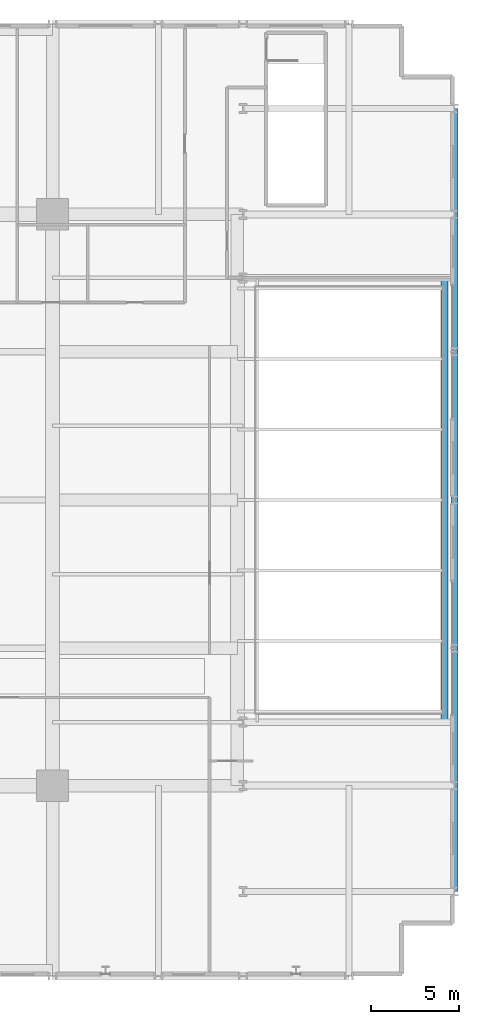
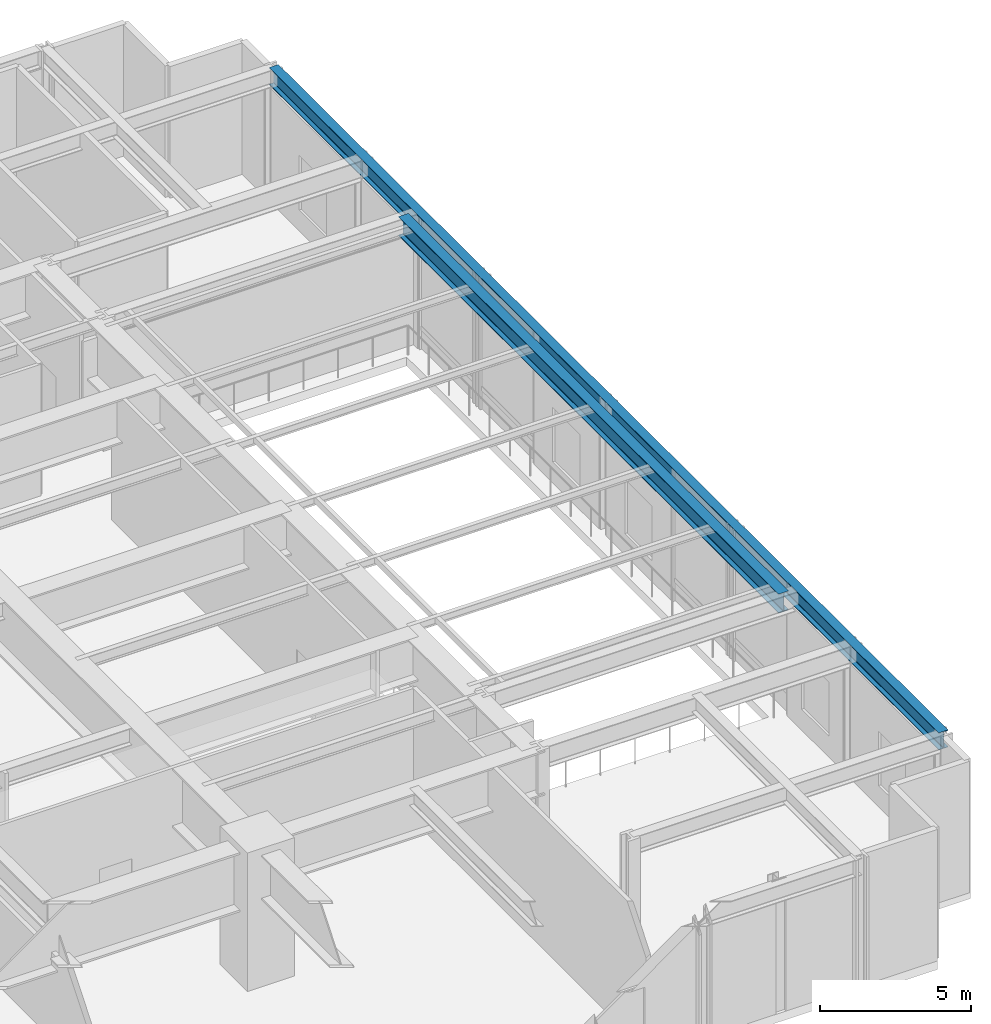
# One storey, part 8 of 19: 2 beams.
"""IFC4 building model written with IfcOpenShell, lengths in metres."""

from ifc_helpers import new_model, si_unit, direction, frame, origin, origin_2d, place, context, subcontext, project, spatial, i_section, extrude, material, material_profile, profile_set, type_object, element, save


model = new_model("IFC4")

# Units and contexts
model_context = context("Model", 3, precision=1e-05, world=origin(), true_north=direction((0.0, 1.0)))
body_context = subcontext(model_context, "Body", "Model", "MODEL_VIEW")
ifc_project = project(units=[si_unit("LENGTHUNIT", "METRE"), si_unit("AREAUNIT", "SQUARE_METRE"), si_unit("VOLUMEUNIT", "CUBIC_METRE"), si_unit("PLANEANGLEUNIT", "RADIAN"), si_unit("MASSUNIT", "GRAM", prefix="KILO")], contexts=[model_context])

# Site, building, storey
site_placement = place(None, origin())
site = spatial("IfcSite", under=ifc_project, at=site_placement, CompositionType="ELEMENT")
building_placement = place(site_placement, origin())
building = spatial("IfcBuilding", under=site, at=building_placement, Name="Drelvath Grand Hotel", CompositionType="ELEMENT")
storey_placement = place(building_placement, frame((0.0, 0.0, 27.60009765625)))
storey = spatial("IfcBuildingStorey", under=building, at=storey_placement, Name="L05", CompositionType="ELEMENT", Elevation=27.60009765625)

# Beams
ifc_material = material(Name="Steel ASTM A992 Gr 50", Category="steel")
ifc_material_profile_1 = material_profile(ifc_material, i_section(OverallWidth=0.354736328125, OverallDepth=0.695556640625, WebThickness=0.015380859375, FlangeThickness=0.025146484375, FilletRadius=0.02392578125, at=origin_2d()), Name="W27X146")
ifc_profile_set_1 = profile_set([ifc_material_profile_1], Name="Steel ASTM A992 Gr 50")
beam_type_1 = type_object("IfcBeamType", Name="Perimeter Spandrel Beam W27X146", PredefinedType="SPANDREL", material=ifc_profile_set_1)
beam_1_placement = place(storey_placement, frame((39.0, 4.800048828125, 4.97216796875), z_axis=(0.0, 1.0, 0.0), x_axis=(-1.0, 0.0, 0.0)))
element("IfcBeam", 1, at=beam_1_placement, inside=storey, type_object=beam_type_1, Name="L05 Podium Perimeter Spandrel SPE1", PredefinedType="SPANDREL", context=body_context, shape_type="SweptSolid", body=[
    extrude(i_section(OverallWidth=0.354736328125, OverallDepth=0.695556640625, WebThickness=0.015380859375, FlangeThickness=0.025146484375, FilletRadius=0.02392578125, at=origin_2d()), origin(), (0.0, 0.0, 1.0), 44.39990234375),
])
ifc_material_profile_2 = material_profile(ifc_material, i_section(OverallWidth=0.380615234375, OverallDepth=0.773193359375, WebThickness=0.0166015625, FlangeThickness=0.027099609375, FilletRadius=0.02490234375, at=origin_2d()), Name="W30X173")
ifc_profile_set_2 = profile_set([ifc_material_profile_2], Name="Steel ASTM A992 Gr 50")
beam_type_2 = type_object("IfcBeamType", Name="Primary Floor Girder W30X173", PredefinedType="BEAM", material=ifc_profile_set_2)
beam_2_placement = place(storey_placement, frame((38.419921875, 14.39990234375, 4.933349609375), z_axis=(0.0, 1.0, 0.0), x_axis=(-1.0, 0.0, 0.0)))
element("IfcBeam", 2, at=beam_2_placement, inside=storey, type_object=beam_type_2, Name="L05 Atrium Skylight East Support Girder", PredefinedType="BEAM", context=body_context, shape_type="SweptSolid", body=[
    extrude(i_section(OverallWidth=0.380615234375, OverallDepth=0.773193359375, WebThickness=0.0166015625, FlangeThickness=0.027099609375, FilletRadius=0.02490234375, at=origin_2d()), origin(), (0.0, 0.0, 1.0), 25.2001953125),
])

save(model, "model.ifc")
